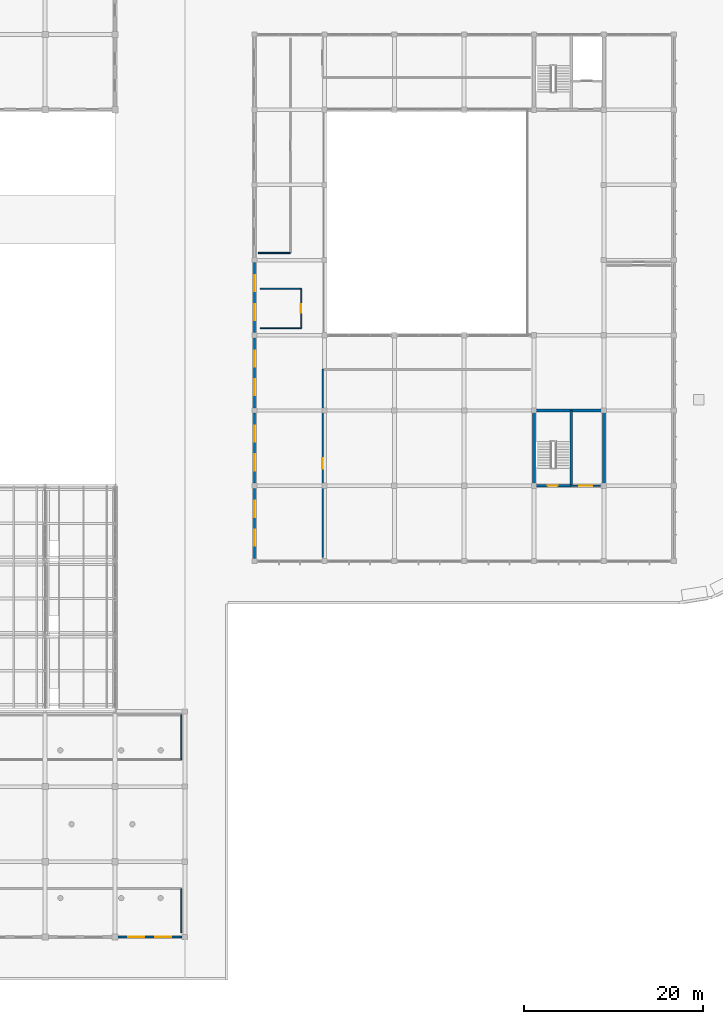
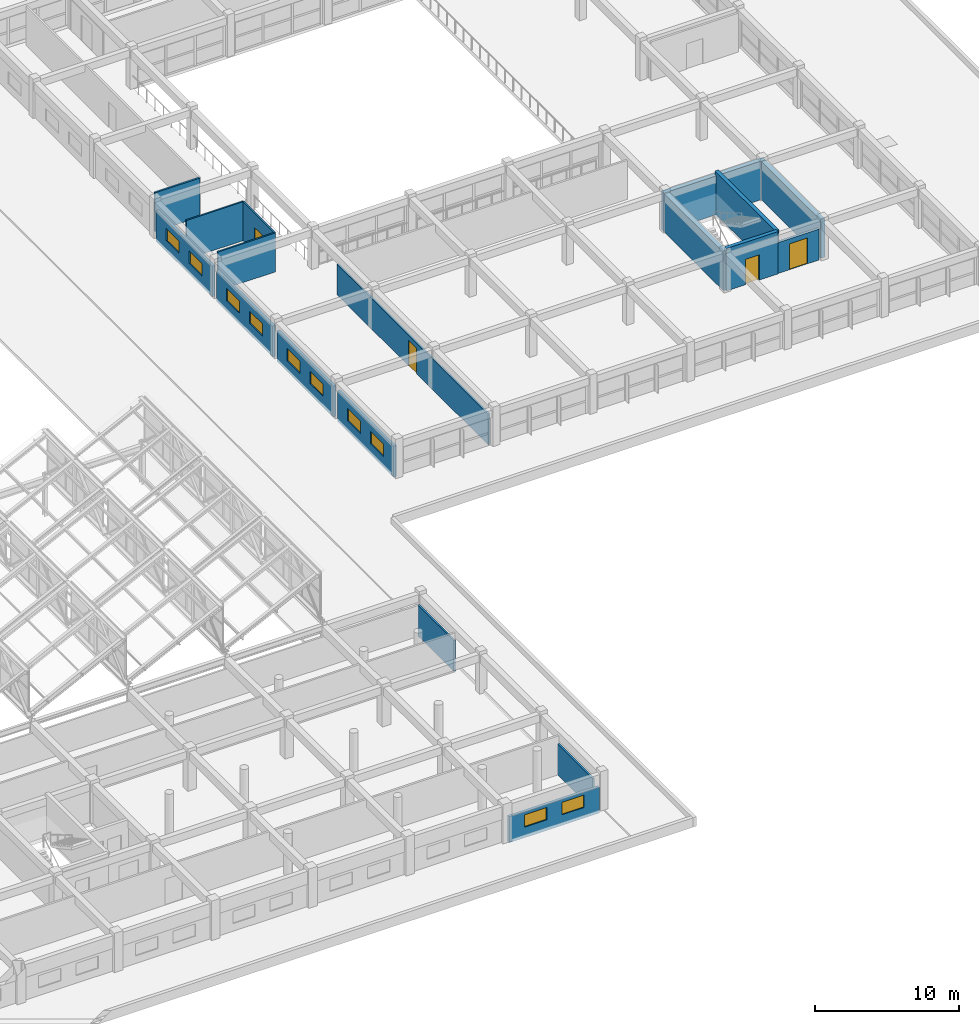
# One storey, part 94 of 101: 18 walls, 10 windows, 4 doors, 14 openings.
"""IFC4 building model written with IfcOpenShell, lengths in metres."""

from ifc_helpers import new_model, si_unit, direction, frame, frame_2d, origin, place, context, subcontext, project, spatial, rectangle, extrude, material, layer, layer_set, type_object, element, fill, save


model = new_model("IFC4")

# Units and contexts
model_context = context("Model", 3, precision=1e-05, world=origin(), true_north=direction((0.0, 1.0)))
body_context = subcontext(model_context, "Body", "Model", "MODEL_VIEW")
ifc_project = project(units=[si_unit("LENGTHUNIT", "METRE"), si_unit("AREAUNIT", "SQUARE_METRE"), si_unit("VOLUMEUNIT", "CUBIC_METRE"), si_unit("PLANEANGLEUNIT", "RADIAN"), si_unit("MASSUNIT", "GRAM", prefix="KILO")], contexts=[model_context])

# Site, building, storey
site_placement = place(None, origin())
site = spatial("IfcSite", under=ifc_project, at=site_placement, CompositionType="ELEMENT")
building_placement = place(site_placement, origin())
building = spatial("IfcBuilding", under=site, at=building_placement, Name="Zizhar Promenade General Hospital", CompositionType="ELEMENT")
storey_placement = place(building_placement, frame((0.0, 0.0, 14.39990234375)))
storey = spatial("IfcBuildingStorey", under=building, at=storey_placement, Name="L03", CompositionType="ELEMENT", Elevation=14.39990234375)

# Wall, openings, windows
ifc_material_1 = material(Name="Precast concrete C40/50", Category="concrete")
ifc_layer_1 = layer(ifc_material_1, 0.235107421875)
ifc_layer_set_1 = layer_set([ifc_layer_1], Name="Precast concrete C40/50")
wall_type_1 = type_object("IfcWallType", Name="EW-CLN-235", PredefinedType="STANDARD", material=ifc_layer_set_1)
wall_1_placement = place(storey_placement, frame((140.39990234375, 42.2900390625, 0.0), z_axis=(0.0, 0.0, 1.0), x_axis=(0.0, 1.0, 0.0)))
wall_1 = element("IfcWall", 1, at=wall_1_placement, inside=storey, type_object=wall_type_1, Name="L03 Clinic Pavilion West Wall 5", PredefinedType="STANDARD", context=body_context, shape_type="SweptSolid", body=[
    extrude(rectangle(XDim=7.820068359375, YDim=0.235107421875, at=frame_2d((3.91015625, 0.0))), origin(), (0.0, 0.0, 1.0), 2.60498046875),
])
opening_1_placement = place(wall_1_placement, frame((1.40673828125, 0.0, 0.89990234375)))
opening_1 = element("IfcOpeningElement", 2, at=opening_1_placement, cuts=wall_1, Name="Opening W-14", PredefinedType="OPENING", context=body_context, shape_type="SweptSolid", body=[
    extrude(rectangle(XDim=1.800048828125, YDim=1.050048828125, at=frame_2d((0.89990234375, 0.52490234375))), frame((0.0, 0.12744140625, 0.0), z_axis=(0.0, -1.0, 0.0), x_axis=(1.0, 0.0, 0.0)), (0.0, 0.0, 1.0), 0.255126953125),
])
opening_2_placement = place(wall_1_placement, frame((4.61328125, 0.0, 0.89990234375)))
opening_2 = element("IfcOpeningElement", 3, at=opening_2_placement, cuts=wall_1, Name="Opening W-14", PredefinedType="OPENING", context=body_context, shape_type="SweptSolid", body=[
    extrude(rectangle(XDim=1.800048828125, YDim=1.050048828125, at=frame_2d((0.89990234375, 0.52490234375))), frame((0.0, 0.12744140625, 0.0), z_axis=(0.0, -1.0, 0.0), x_axis=(1.0, 0.0, 0.0)), (0.0, 0.0, 1.0), 0.255126953125),
])
ifc_material_2 = material(Name="Anodised aluminium 6063-T6 and low-E glass", Category="aluminium")
window_type = type_object("IfcWindowType", Name="WIN-INT-180x105", PartitioningType="DOUBLE_PANEL_HORIZONTAL", PredefinedType="WINDOW", material=ifc_material_2)
window_1_placement = place(opening_1_placement, origin())
window_1 = element("IfcWindow", 4, at=window_1_placement, inside=storey, type_object=window_type, Name="L03 Clinic Pavilion West Wall 5 Window 1", OverallHeight=1.050048828125, OverallWidth=1.800048828125, PartitioningType="SINGLE_PANEL", PredefinedType="WINDOW", context=body_context, shape_type="SweptSolid", body=[
    extrude(rectangle(XDim=1.800048828125, YDim=1.050048828125, at=frame_2d((0.89990234375, 0.52490234375))), frame((0.0, 0.030029296875, 0.0), z_axis=(0.0, -1.0, 0.0), x_axis=(1.0, 0.0, 0.0)), (0.0, 0.0, 1.0), 0.06005859375),
])
fill(opening_1, window_1)
window_2_placement = place(opening_2_placement, origin())
window_2 = element("IfcWindow", 5, at=window_2_placement, inside=storey, type_object=window_type, Name="L03 Clinic Pavilion West Wall 5 Window 2", OverallHeight=1.050048828125, OverallWidth=1.800048828125, PartitioningType="SINGLE_PANEL", PredefinedType="WINDOW", context=body_context, shape_type="SweptSolid", body=[
    extrude(rectangle(XDim=1.800048828125, YDim=1.050048828125, at=frame_2d((0.89990234375, 0.52490234375))), frame((0.0, 0.030029296875, 0.0), z_axis=(0.0, -1.0, 0.0), x_axis=(1.0, 0.0, 0.0)), (0.0, 0.0, 1.0), 0.06005859375),
])
fill(opening_2, window_2)

wall_2_placement = place(storey_placement, frame((140.39990234375, 50.68994140625, 0.0), z_axis=(0.0, 0.0, 1.0), x_axis=(0.0, 1.0, 0.0)))
wall_2 = element("IfcWall", 6, at=wall_2_placement, inside=storey, type_object=wall_type_1, Name="L03 Clinic Pavilion West Wall 6", PredefinedType="STANDARD", context=body_context, shape_type="SweptSolid", body=[
    extrude(rectangle(XDim=7.820068359375, YDim=0.235107421875, at=frame_2d((3.91015625, 0.0))), origin(), (0.0, 0.0, 1.0), 2.60498046875),
])
opening_3_placement = place(wall_2_placement, frame((1.40673828125, 0.0, 0.89990234375)))
opening_3 = element("IfcOpeningElement", 7, at=opening_3_placement, cuts=wall_2, Name="Opening W-14", PredefinedType="OPENING", context=body_context, shape_type="SweptSolid", body=[
    extrude(rectangle(XDim=1.800048828125, YDim=1.050048828125, at=frame_2d((0.89990234375, 0.52490234375))), frame((0.0, 0.12744140625, 0.0), z_axis=(0.0, -1.0, 0.0), x_axis=(1.0, 0.0, 0.0)), (0.0, 0.0, 1.0), 0.255126953125),
])
opening_4_placement = place(wall_2_placement, frame((4.61328125, 0.0, 0.89990234375)))
opening_4 = element("IfcOpeningElement", 8, at=opening_4_placement, cuts=wall_2, Name="Opening W-14", PredefinedType="OPENING", context=body_context, shape_type="SweptSolid", body=[
    extrude(rectangle(XDim=1.800048828125, YDim=1.050048828125, at=frame_2d((0.89990234375, 0.52490234375))), frame((0.0, 0.12744140625, 0.0), z_axis=(0.0, -1.0, 0.0), x_axis=(1.0, 0.0, 0.0)), (0.0, 0.0, 1.0), 0.255126953125),
])
window_3_placement = place(opening_3_placement, origin())
window_3 = element("IfcWindow", 9, at=window_3_placement, inside=storey, type_object=window_type, Name="L03 Clinic Pavilion West Wall 6 Window 1", OverallHeight=1.050048828125, OverallWidth=1.800048828125, PartitioningType="SINGLE_PANEL", PredefinedType="WINDOW", context=body_context, shape_type="SweptSolid", body=[
    extrude(rectangle(XDim=1.800048828125, YDim=1.050048828125, at=frame_2d((0.89990234375, 0.52490234375))), frame((0.0, 0.030029296875, 0.0), z_axis=(0.0, -1.0, 0.0), x_axis=(1.0, 0.0, 0.0)), (0.0, 0.0, 1.0), 0.06005859375),
])
fill(opening_3, window_3)
window_4_placement = place(opening_4_placement, origin())
window_4 = element("IfcWindow", 10, at=window_4_placement, inside=storey, type_object=window_type, Name="L03 Clinic Pavilion West Wall 6 Window 2", OverallHeight=1.050048828125, OverallWidth=1.800048828125, PartitioningType="SINGLE_PANEL", PredefinedType="WINDOW", context=body_context, shape_type="SweptSolid", body=[
    extrude(rectangle(XDim=1.800048828125, YDim=1.050048828125, at=frame_2d((0.89990234375, 0.52490234375))), frame((0.0, 0.030029296875, 0.0), z_axis=(0.0, -1.0, 0.0), x_axis=(1.0, 0.0, 0.0)), (0.0, 0.0, 1.0), 0.06005859375),
])
fill(opening_4, window_4)

wall_3_placement = place(storey_placement, frame((140.39990234375, 59.090087890625, 0.0), z_axis=(0.0, 0.0, 1.0), x_axis=(0.0, 1.0, 0.0)))
wall_3 = element("IfcWall", 11, at=wall_3_placement, inside=storey, type_object=wall_type_1, Name="L03 Clinic Pavilion West Wall 7", PredefinedType="STANDARD", context=body_context, shape_type="SweptSolid", body=[
    extrude(rectangle(XDim=7.81982421875, YDim=0.235107421875, at=frame_2d((3.909912109375, 0.0))), origin(), (0.0, 0.0, 1.0), 2.60498046875),
])
opening_5_placement = place(wall_3_placement, frame((1.40673828125, 0.0, 0.89990234375)))
opening_5 = element("IfcOpeningElement", 12, at=opening_5_placement, cuts=wall_3, Name="Opening W-14", PredefinedType="OPENING", context=body_context, shape_type="SweptSolid", body=[
    extrude(rectangle(XDim=1.800048828125, YDim=1.050048828125, at=frame_2d((0.89990234375, 0.52490234375))), frame((0.0, 0.12744140625, 0.0), z_axis=(0.0, -1.0, 0.0), x_axis=(1.0, 0.0, 0.0)), (0.0, 0.0, 1.0), 0.255126953125),
])
opening_6_placement = place(wall_3_placement, frame((4.61328125, 0.0, 0.89990234375)))
opening_6 = element("IfcOpeningElement", 13, at=opening_6_placement, cuts=wall_3, Name="Opening W-14", PredefinedType="OPENING", context=body_context, shape_type="SweptSolid", body=[
    extrude(rectangle(XDim=1.800048828125, YDim=1.050048828125, at=frame_2d((0.89990234375, 0.52490234375))), frame((0.0, 0.12744140625, 0.0), z_axis=(0.0, -1.0, 0.0), x_axis=(1.0, 0.0, 0.0)), (0.0, 0.0, 1.0), 0.255126953125),
])
window_5_placement = place(opening_5_placement, origin())
window_5 = element("IfcWindow", 14, at=window_5_placement, inside=storey, type_object=window_type, Name="L03 Clinic Pavilion West Wall 7 Window 1", OverallHeight=1.050048828125, OverallWidth=1.800048828125, PartitioningType="SINGLE_PANEL", PredefinedType="WINDOW", context=body_context, shape_type="SweptSolid", body=[
    extrude(rectangle(XDim=1.800048828125, YDim=1.050048828125, at=frame_2d((0.89990234375, 0.52490234375))), frame((0.0, 0.030029296875, 0.0), z_axis=(0.0, -1.0, 0.0), x_axis=(1.0, 0.0, 0.0)), (0.0, 0.0, 1.0), 0.06005859375),
])
fill(opening_5, window_5)
window_6_placement = place(opening_6_placement, origin())
window_6 = element("IfcWindow", 15, at=window_6_placement, inside=storey, type_object=window_type, Name="L03 Clinic Pavilion West Wall 7 Window 2", OverallHeight=1.050048828125, OverallWidth=1.800048828125, PartitioningType="SINGLE_PANEL", PredefinedType="WINDOW", context=body_context, shape_type="SweptSolid", body=[
    extrude(rectangle(XDim=1.800048828125, YDim=1.050048828125, at=frame_2d((0.89990234375, 0.52490234375))), frame((0.0, 0.030029296875, 0.0), z_axis=(0.0, -1.0, 0.0), x_axis=(1.0, 0.0, 0.0)), (0.0, 0.0, 1.0), 0.06005859375),
])
fill(opening_6, window_6)

wall_4_placement = place(storey_placement, frame((140.39990234375, 67.489990234375, 0.0), z_axis=(0.0, 0.0, 1.0), x_axis=(0.0, 1.0, 0.0)))
wall_4 = element("IfcWall", 16, at=wall_4_placement, inside=storey, type_object=wall_type_1, Name="L03 Clinic Pavilion West Wall 8", PredefinedType="STANDARD", context=body_context, shape_type="SweptSolid", body=[
    extrude(rectangle(XDim=7.820068359375, YDim=0.235107421875, at=frame_2d((3.91015625, 0.0))), origin(), (0.0, 0.0, 1.0), 2.60498046875),
])
opening_7_placement = place(wall_4_placement, frame((1.40673828125, 0.0, 0.89990234375)))
opening_7 = element("IfcOpeningElement", 17, at=opening_7_placement, cuts=wall_4, Name="Opening W-14", PredefinedType="OPENING", context=body_context, shape_type="SweptSolid", body=[
    extrude(rectangle(XDim=1.800048828125, YDim=1.050048828125, at=frame_2d((0.89990234375, 0.52490234375))), frame((0.0, 0.12744140625, 0.0), z_axis=(0.0, -1.0, 0.0), x_axis=(1.0, 0.0, 0.0)), (0.0, 0.0, 1.0), 0.255126953125),
])
opening_8_placement = place(wall_4_placement, frame((4.61328125, 0.0, 0.89990234375)))
opening_8 = element("IfcOpeningElement", 18, at=opening_8_placement, cuts=wall_4, Name="Opening W-14", PredefinedType="OPENING", context=body_context, shape_type="SweptSolid", body=[
    extrude(rectangle(XDim=1.800048828125, YDim=1.050048828125, at=frame_2d((0.89990234375, 0.52490234375))), frame((0.0, 0.12744140625, 0.0), z_axis=(0.0, -1.0, 0.0), x_axis=(1.0, 0.0, 0.0)), (0.0, 0.0, 1.0), 0.255126953125),
])
window_7_placement = place(opening_7_placement, origin())
window_7 = element("IfcWindow", 19, at=window_7_placement, inside=storey, type_object=window_type, Name="L03 Clinic Pavilion West Wall 8 Window 1", OverallHeight=1.050048828125, OverallWidth=1.800048828125, PartitioningType="SINGLE_PANEL", PredefinedType="WINDOW", context=body_context, shape_type="SweptSolid", body=[
    extrude(rectangle(XDim=1.800048828125, YDim=1.050048828125, at=frame_2d((0.89990234375, 0.52490234375))), frame((0.0, 0.030029296875, 0.0), z_axis=(0.0, -1.0, 0.0), x_axis=(1.0, 0.0, 0.0)), (0.0, 0.0, 1.0), 0.06005859375),
])
fill(opening_7, window_7)
window_8_placement = place(opening_8_placement, origin())
window_8 = element("IfcWindow", 20, at=window_8_placement, inside=storey, type_object=window_type, Name="L03 Clinic Pavilion West Wall 8 Window 2", OverallHeight=1.050048828125, OverallWidth=1.800048828125, PartitioningType="SINGLE_PANEL", PredefinedType="WINDOW", context=body_context, shape_type="SweptSolid", body=[
    extrude(rectangle(XDim=1.800048828125, YDim=1.050048828125, at=frame_2d((0.89990234375, 0.52490234375))), frame((0.0, 0.030029296875, 0.0), z_axis=(0.0, -1.0, 0.0), x_axis=(1.0, 0.0, 0.0)), (0.0, 0.0, 1.0), 0.06005859375),
])
fill(opening_8, window_8)

ifc_material_3 = material(Name="Precast concrete C40/50", Category="concrete")
ifc_layer_2 = layer(ifc_material_3, 0.22509765625)
ifc_layer_set_2 = layer_set([ifc_layer_2], Name="Precast concrete C40/50")
wall_type_2 = type_object("IfcWallType", Name="EW-INT-225", PredefinedType="STANDARD", material=ifc_layer_set_2)
wall_5_placement = place(storey_placement, frame((132.31005859375, 0.0, 0.0), z_axis=(0.0, 0.0, 1.0), x_axis=(-1.0, 0.0, 0.0)))
wall_5 = element("IfcWall", 21, at=wall_5_placement, inside=storey, type_object=wall_type_2, Name="Riverfront Facade Wall L03-15", PredefinedType="STANDARD", context=body_context, shape_type="SweptSolid", body=[
    extrude(rectangle(XDim=7.219970703125, YDim=0.22509765625, at=frame_2d((3.60986328125, 0.0))), origin(), (0.0, 0.0, 1.0), 2.205078125),
])
opening_9_placement = place(wall_5_placement, frame((1.206787109375, 0.0, 0.89990234375)))
opening_9 = element("IfcOpeningElement", 22, at=opening_9_placement, cuts=wall_5, Name="Opening W-14", PredefinedType="OPENING", context=body_context, shape_type="SweptSolid", body=[
    extrude(rectangle(XDim=1.800048828125, YDim=1.050048828125, at=frame_2d((0.89990234375, 0.52490234375))), frame((0.0, 0.12255859375, 0.0), z_axis=(0.0, -1.0, 0.0), x_axis=(1.0, 0.0, 0.0)), (0.0, 0.0, 1.0), 0.2451171875),
])
opening_10_placement = place(wall_5_placement, frame((4.21337890625, 0.0, 0.89990234375)))
opening_10 = element("IfcOpeningElement", 23, at=opening_10_placement, cuts=wall_5, Name="Opening W-14", PredefinedType="OPENING", context=body_context, shape_type="SweptSolid", body=[
    extrude(rectangle(XDim=1.800048828125, YDim=1.050048828125, at=frame_2d((0.89990234375, 0.52490234375))), frame((0.0, 0.12255859375, 0.0), z_axis=(0.0, -1.0, 0.0), x_axis=(1.0, 0.0, 0.0)), (0.0, 0.0, 1.0), 0.2451171875),
])
window_9_placement = place(opening_9_placement, origin())
window_9 = element("IfcWindow", 24, at=window_9_placement, inside=storey, type_object=window_type, Name="Riverfront Facade Wall L03-15 Window 1", OverallHeight=1.050048828125, OverallWidth=1.800048828125, PartitioningType="SINGLE_PANEL", PredefinedType="WINDOW", context=body_context, shape_type="SweptSolid", body=[
    extrude(rectangle(XDim=1.800048828125, YDim=1.050048828125, at=frame_2d((0.89990234375, 0.52490234375))), frame((0.0, 0.030029296875, 0.0), z_axis=(0.0, -1.0, 0.0), x_axis=(1.0, 0.0, 0.0)), (0.0, 0.0, 1.0), 0.06005859375),
])
fill(opening_9, window_9)
window_10_placement = place(opening_10_placement, origin())
window_10 = element("IfcWindow", 25, at=window_10_placement, inside=storey, type_object=window_type, Name="Riverfront Facade Wall L03-15 Window 2", OverallHeight=1.050048828125, OverallWidth=1.800048828125, PartitioningType="SINGLE_PANEL", PredefinedType="WINDOW", context=body_context, shape_type="SweptSolid", body=[
    extrude(rectangle(XDim=1.800048828125, YDim=1.050048828125, at=frame_2d((0.89990234375, 0.52490234375))), frame((0.0, 0.030029296875, 0.0), z_axis=(0.0, -1.0, 0.0), x_axis=(1.0, 0.0, 0.0)), (0.0, 0.0, 1.0), 0.06005859375),
])
fill(opening_10, window_10)

# Wall
ifc_material_4 = material(Name="Clinical consultation partition")
ifc_layer_3 = layer(ifc_material_4, 0.14501953125)
ifc_layer_set_3 = layer_set([ifc_layer_3], Name="Clinical consultation partition")
wall_type_3 = type_object("IfcWallType", Name="IW-CLN-145", PredefinedType="PARTITIONING", material=ifc_layer_set_3)
wall_6_placement = place(storey_placement, frame((140.800048828125, 76.39990234375, 0.0), z_axis=(0.0, 0.0, 1.0), x_axis=(1.0, 0.0, 0.0)))
element("IfcWall", 26, at=wall_6_placement, inside=storey, type_object=wall_type_3, Name="Outpatient Oncology Day Chemotherapy Clinic S Partition", PredefinedType="PARTITIONING", context=body_context, shape_type="SweptSolid", body=[
    extrude(rectangle(XDim=3.599853515625, YDim=0.14501953125, at=frame_2d((1.7998046875, 0.0))), origin(), (0.0, 0.0, 1.0), 3.300048828125),
])

# Wall, opening, door
wall_7_placement = place(storey_placement, frame((148.0, 42.39990234375, 0.0), z_axis=(0.0, 0.0, 1.0), x_axis=(0.0, 1.0, 0.0)))
wall_7 = element("IfcWall", 27, at=wall_7_placement, inside=storey, type_object=wall_type_3, Name="Outpatient Diabetes and Endocrinology Clinic W Partition", PredefinedType="PARTITIONING", context=body_context, shape_type="SweptSolid", body=[
    extrude(rectangle(XDim=21.0, YDim=0.14501953125, at=frame_2d((10.5, 0.0))), origin(), (0.0, 0.0, 1.0), 2.60498046875),
])
opening_11_placement = place(wall_7_placement, frame((9.925048828125, 0.0, 0.0)))
opening_11 = element("IfcOpeningElement", 28, at=opening_11_placement, cuts=wall_7, Name="Opening D-15", PredefinedType="OPENING", context=body_context, shape_type="SweptSolid", body=[
    extrude(rectangle(XDim=1.14990234375, YDim=2.14990234375, at=frame_2d((0.574951171875, 1.074951171875))), frame((0.0, 0.08251953125, 0.0), z_axis=(0.0, -1.0, 0.0), x_axis=(1.0, 0.0, 0.0)), (0.0, 0.0, 1.0), 0.1650390625),
])
ifc_material_5 = material(Name="Fire-rated timber treatment leaf", Category="wood")
door_type_1 = type_object("IfcDoorType", Name="DR-CLN-TREAT-115x215", OperationType="NOTDEFINED", PredefinedType="DOOR", material=ifc_material_5)
door_1_placement = place(opening_11_placement, origin())
door_1 = element("IfcDoor", 29, at=door_1_placement, inside=storey, type_object=door_type_1, Name="Outpatient Diabetes and Endocrinology Clinic Door", OperationType="SINGLE_SWING_RIGHT", OverallHeight=2.14990234375, OverallWidth=1.14990234375, PredefinedType="DOOR", context=body_context, shape_type="SweptSolid", body=[
    extrude(rectangle(XDim=1.14990234375, YDim=2.14990234375, at=frame_2d((0.574951171875, 1.074951171875))), frame((0.0, 0.02490234375, 0.0), z_axis=(0.0, -1.0, 0.0), x_axis=(1.0, 0.0, 0.0)), (0.0, 0.0, 1.0), 0.050048828125),
])
fill(opening_11, door_1)

# Wall
wall_8_placement = place(storey_placement, frame((132.199951171875, 19.800048828125, 0.0), z_axis=(0.0, 0.0, 1.0), x_axis=(0.0, 1.0, 0.0)))
element("IfcWall", 30, at=wall_8_placement, inside=storey, type_object=wall_type_3, Name="Clinical IT Server and Nurse-Call Distribution Room E Partition", PredefinedType="PARTITIONING", context=body_context, shape_type="SweptSolid", body=[
    extrude(rectangle(XDim=5.0, YDim=0.14501953125, at=frame_2d((2.5, 0.0))), origin(), (0.0, 0.0, 1.0), 2.6201171875),
])

# Wall, opening, door
ifc_material_6 = material(Name="Concrete C35/45", Category="concrete")
ifc_layer_4 = layer(ifc_material_6, 0.215087890625)
ifc_layer_set_4 = layer_set([ifc_layer_4], Name="Concrete C35/45")
wall_type_4 = type_object("IfcWallType", Name="IW-LOBBY-215", PredefinedType="STANDARD", material=ifc_layer_set_4)
wall_9_placement = place(storey_placement, frame((175.75, 50.39990234375, 0.0), z_axis=(0.0, 0.0, 1.0), x_axis=(1.0, 0.0, 0.0)))
wall_9 = element("IfcWall", 31, at=wall_9_placement, inside=storey, type_object=wall_type_4, Name="Core C9 Lift Lobby South Fire Wall (L03)", PredefinedType="STANDARD", context=body_context, shape_type="SweptSolid", body=[
    extrude(rectangle(XDim=3.2900390625, YDim=0.215087890625, at=frame_2d((1.64501953125, 0.0))), origin(), (0.0, 0.0, 1.0), 2.6201171875),
])
opening_12_placement = place(wall_9_placement, frame((0.925048828125, 0.0, 0.0)))
opening_12 = element("IfcOpeningElement", 32, at=opening_12_placement, cuts=wall_9, Name="Opening D-23", PredefinedType="OPENING", context=body_context, shape_type="SweptSolid", body=[
    extrude(rectangle(XDim=1.43994140625, YDim=2.199951171875, at=frame_2d((0.719970703125, 1.10009765625))), frame((0.0, 0.11767578125, 0.0), z_axis=(0.0, -1.0, 0.0), x_axis=(1.0, 0.0, 0.0)), (0.0, 0.0, 1.0), 0.235107421875),
])
ifc_material_7 = material(Name="Fire-rated timber lift lobby pair", Category="wood")
door_type_2 = type_object("IfcDoorType", Name="DR-LOBBY-PR-144x220", OperationType="DOUBLE_DOOR_SINGLE_SWING", PredefinedType="DOOR", material=ifc_material_7)
door_2_placement = place(opening_12_placement, origin())
door_2 = element("IfcDoor", 33, at=door_2_placement, inside=storey, type_object=door_type_2, Name="Core C9 Protected Lift Lobby Door (L03)", OperationType="DOUBLE_DOOR_SINGLE_SWING", OverallHeight=2.199951171875, OverallWidth=1.43994140625, PredefinedType="DOOR", context=body_context, shape_type="SweptSolid", body=[
    extrude(rectangle(XDim=1.43994140625, YDim=2.199951171875, at=frame_2d((0.719970703125, 1.10009765625))), frame((0.0, 0.02490234375, 0.0), z_axis=(0.0, -1.0, 0.0), x_axis=(1.0, 0.0, 0.0)), (0.0, 0.0, 1.0), 0.050048828125),
])
fill(opening_12, door_2)

# Walls
ifc_material_8 = material(Name="Acoustic patient bedroom partition")
ifc_layer_5 = layer(ifc_material_8, 0.155029296875)
ifc_layer_set_5 = layer_set([ifc_layer_5], Name="Acoustic patient bedroom partition")
wall_type_5 = type_object("IfcWallType", Name="IW-WARD-155", PredefinedType="PARTITIONING", material=ifc_layer_set_5)
wall_10_placement = place(storey_placement, frame((132.199951171875, 0.5, 0.0), z_axis=(0.0, 0.0, 1.0), x_axis=(0.0, 1.0, 0.0)))
element("IfcWall", 34, at=wall_10_placement, inside=storey, type_object=wall_type_5, Name="Ward Hygienic Air Handling Plant East E Partition", PredefinedType="PARTITIONING", context=body_context, shape_type="SweptSolid", body=[
    extrude(rectangle(XDim=4.89990234375, YDim=0.155029296875, at=frame_2d((2.449951171875, 0.0))), origin(), (0.0, 0.0, 1.0), 2.6201171875),
])
ifc_material_9 = material(Name="Moisture-resistant en-suite wet partition")
ifc_layer_6 = layer(ifc_material_9, 0.125)
ifc_layer_set_6 = layer_set([ifc_layer_6], Name="Moisture-resistant en-suite wet partition")
wall_type_6 = type_object("IfcWallType", Name="IW-WET-125", PredefinedType="PARTITIONING", material=ifc_layer_set_6)
for number, where, z_axis, x_axis, name in (
    (35, (141.0, 68.0, 0.0), (0.0, 0.0, 1.0), (1.0, 0.0, 0.0), "Accessible Outpatient Toilet L03 S Partition"),
    (36, (141.0, 72.39990234375, 0.0), (0.0, 0.0, 1.0), (1.0, 0.0, 0.0), "Accessible Outpatient Toilet L03 N Partition"),
):
    element("IfcWall", number, at=place(storey_placement, frame(where, z_axis=z_axis, x_axis=x_axis)), inside=storey, type_object=wall_type_6, Name=name, PredefinedType="PARTITIONING", context=body_context, shape_type="SweptSolid", body=[
        extrude(rectangle(XDim=4.60009765625, YDim=0.125, at=frame_2d((2.300048828125, 0.0))), origin(), (0.0, 0.0, 1.0), 3.300048828125),
    ])

# Wall, opening, door
wall_11_placement = place(storey_placement, frame((145.60009765625, 68.0, 0.0), z_axis=(0.0, 0.0, 1.0), x_axis=(0.0, 1.0, 0.0)))
wall_11 = element("IfcWall", 37, at=wall_11_placement, inside=storey, type_object=wall_type_6, Name="Accessible Outpatient Toilet L03 E Partition", PredefinedType="PARTITIONING", context=body_context, shape_type="SweptSolid", body=[
    extrude(rectangle(XDim=4.39990234375, YDim=0.125, at=frame_2d((2.199951171875, 0.0))), origin(), (0.0, 0.0, 1.0), 3.300048828125),
])
opening_13_placement = place(wall_11_placement, frame((1.699951171875, 0.0, 0.0)))
opening_13 = element("IfcOpeningElement", 38, at=opening_13_placement, cuts=wall_11, Name="Opening D-19", PredefinedType="OPENING", context=body_context, shape_type="SweptSolid", body=[
    extrude(rectangle(XDim=1.0, YDim=2.10009765625, at=frame_2d((0.5, 1.050048828125))), frame((0.0, 0.072509765625, 0.0), z_axis=(0.0, -1.0, 0.0), x_axis=(1.0, 0.0, 0.0)), (0.0, 0.0, 1.0), 0.14501953125),
])
ifc_material_10 = material(Name="Moisture-resistant timber accessible WC", Category="wood")
door_type_3 = type_object("IfcDoorType", Name="DR-WC-PMR-100x210", OperationType="NOTDEFINED", PredefinedType="DOOR", material=ifc_material_10)
door_3_placement = place(opening_13_placement, origin())
door_3 = element("IfcDoor", 39, at=door_3_placement, inside=storey, type_object=door_type_3, Name="Accessible Outpatient Toilet L03 Door", OperationType="SINGLE_SWING_RIGHT", OverallHeight=2.10009765625, OverallWidth=1.0, PredefinedType="DOOR", context=body_context, shape_type="SweptSolid", body=[
    extrude(rectangle(XDim=1.0, YDim=2.10009765625, at=frame_2d((0.5, 1.050048828125))), frame((0.0, 0.02490234375, 0.0), z_axis=(0.0, -1.0, 0.0), x_axis=(1.0, 0.0, 0.0)), (0.0, 0.0, 1.0), 0.050048828125),
])
fill(opening_13, door_3)

ifc_material_11 = material(Name="Concrete C40/50", Category="concrete")
ifc_layer_7 = layer(ifc_material_11, 0.300048828125)
ifc_layer_set_7 = layer_set([ifc_layer_7], Name="Concrete C40/50")
wall_type_7 = type_object("IfcWallType", Name="WL-CORE-300", PredefinedType="SHEAR", material=ifc_layer_set_7)
wall_12_placement = place(storey_placement, frame((171.60009765625, 50.39990234375, 0.0), z_axis=(0.0, 0.0, 1.0), x_axis=(1.0, 0.0, 0.0)))
wall_12 = element("IfcWall", 40, at=wall_12_placement, inside=storey, type_object=wall_type_7, Name="Core C9 Stair South Fire Wall (L03)", PredefinedType="SHEAR", context=body_context, shape_type="SweptSolid", body=[
    extrude(rectangle(XDim=4.14990234375, YDim=0.300048828125, at=frame_2d((2.074951171875, 0.0))), origin(), (0.0, 0.0, 1.0), 3.60009765625),
])
opening_14_placement = place(wall_12_placement, frame((1.514892578125, 0.0, 0.0)))
opening_14 = element("IfcOpeningElement", 41, at=opening_14_placement, cuts=wall_12, Name="Opening D-21", PredefinedType="OPENING", context=body_context, shape_type="SweptSolid", body=[
    extrude(rectangle(XDim=1.1201171875, YDim=2.14990234375, at=frame_2d((0.56005859375, 1.074951171875))), frame((0.0, 0.16015625, 0.0), z_axis=(0.0, -1.0, 0.0), x_axis=(1.0, 0.0, 0.0)), (0.0, 0.0, 1.0), 0.320068359375),
])
ifc_material_12 = material(Name="Steel S355 protected stair door", Category="steel")
door_type_4 = type_object("IfcDoorType", Name="DR-STAIR-112x215", OperationType="NOTDEFINED", PredefinedType="DOOR", material=ifc_material_12)
door_4_placement = place(opening_14_placement, origin())
door_4 = element("IfcDoor", 42, at=door_4_placement, inside=storey, type_object=door_type_4, Name="Exit Stair ST-09 Door (L03)", OperationType="SINGLE_SWING_RIGHT", OverallHeight=2.14990234375, OverallWidth=1.1201171875, PredefinedType="DOOR", context=body_context, shape_type="SweptSolid", body=[
    extrude(rectangle(XDim=1.1201171875, YDim=2.14990234375, at=frame_2d((0.56005859375, 1.074951171875))), frame((0.0, 0.02490234375, 0.0), z_axis=(0.0, -1.0, 0.0), x_axis=(1.0, 0.0, 0.0)), (0.0, 0.0, 1.0), 0.050048828125),
])
fill(opening_14, door_4)

# Walls
wall_13_placement = place(storey_placement, frame((175.75, 50.39990234375, 0.0), z_axis=(0.0, 0.0, 1.0), x_axis=(0.0, 1.0, 0.0)))
element("IfcWall", 43, at=wall_13_placement, inside=storey, type_object=wall_type_7, Name="Core C9 Stair-Shaft Separation Wall (L03)", PredefinedType="SHEAR", context=body_context, shape_type="SweptSolid", body=[
    extrude(rectangle(XDim=8.400146484375, YDim=0.300048828125, at=frame_2d((4.2001953125, 0.0))), origin(), (0.0, 0.0, 1.0), 3.60009765625),
])
ifc_material_13 = material(Name="Concrete C40/50", Category="concrete")
ifc_layer_8 = layer(ifc_material_13, 0.35009765625)
ifc_layer_set_8 = layer_set([ifc_layer_8], Name="Concrete C40/50")
wall_type_8 = type_object("IfcWallType", Name="WL-CORE-350", PredefinedType="SHEAR", material=ifc_layer_set_8)
wall_14_placement = place(storey_placement, frame((171.425048828125, 58.800048828125, 0.0), z_axis=(0.0, 0.0, 1.0), x_axis=(1.0, 0.0, 0.0)))
element("IfcWall", 44, at=wall_14_placement, inside=storey, type_object=wall_type_8, Name="Core C9 North Shear Wall L03", PredefinedType="SHEAR", context=body_context, shape_type="SweptSolid", body=[
    extrude(rectangle(XDim=8.14990234375, YDim=0.35009765625, at=frame_2d((4.074951171875, 0.0))), origin(), (0.0, 0.0, 1.0), 3.280029296875),
])
for number, where, z_axis, x_axis, name in (
    (45, (171.60009765625, 50.39990234375, 0.0), (0.0, 0.0, 1.0), (0.0, 1.0, 0.0), "Core C9 West Shear Wall L03"),
    (46, (179.39990234375, 50.39990234375, 0.0), (0.0, 0.0, 1.0), (0.0, 1.0, 0.0), "Core C9 East Shear Wall L03"),
):
    element("IfcWall", number, at=place(storey_placement, frame(where, z_axis=z_axis, x_axis=x_axis)), inside=storey, type_object=wall_type_8, Name=name, PredefinedType="SHEAR", context=body_context, shape_type="SweptSolid", body=[
        extrude(rectangle(XDim=8.400146484375, YDim=0.35009765625, at=frame_2d((4.2001953125, 0.0))), origin(), (0.0, 0.0, 1.0), 3.280029296875),
    ])

save(model, "model.ifc")
